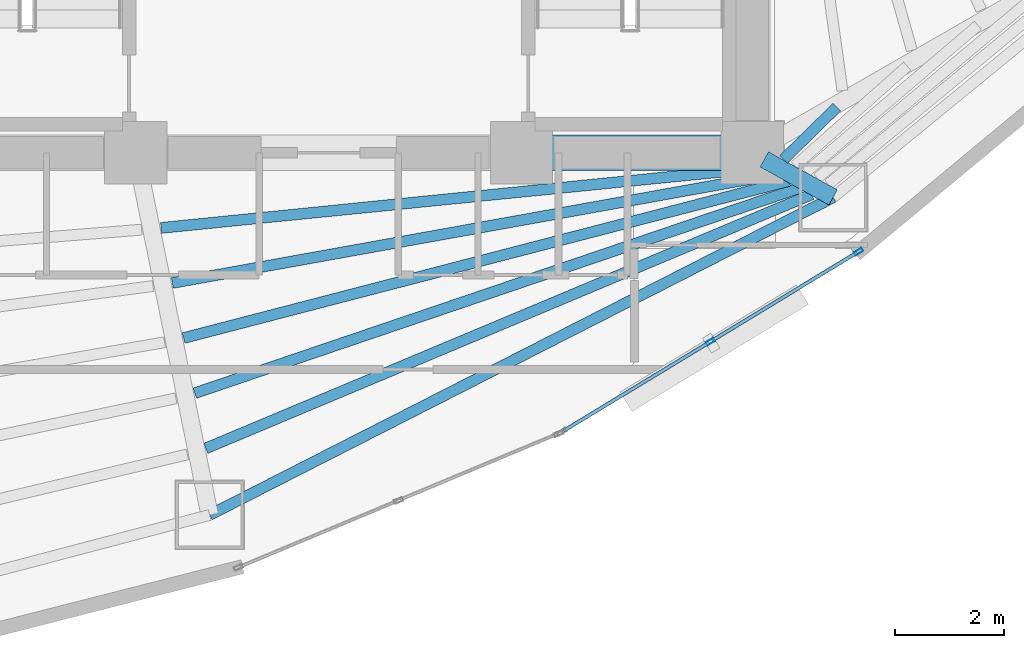
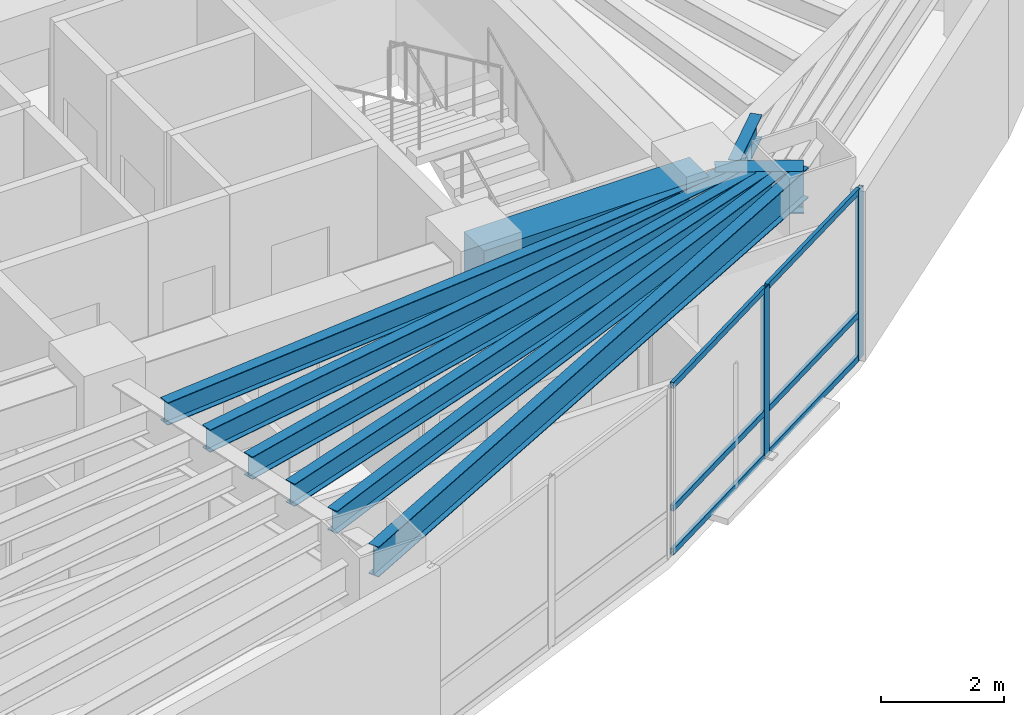
# One storey, part 5 of 16: 9 beams, 8 members, 1 element without a shape of its own.
"""IFC4 building model written with IfcOpenShell, lengths in metres."""

from ifc_helpers import new_model, si_unit, direction, frame, origin, origin_2d, place, context, subcontext, project, spatial, rectangle, hollow_rectangle, i_section, extrude, material, layer, layer_set, material_profile, profile_set, type_object, element, aggregate, save


model = new_model("IFC4")

# Units and contexts
model_context = context("Model", 3, precision=1e-05, world=origin(), true_north=direction((0.0, 1.0)))
body_context = subcontext(model_context, "Body", "Model", "MODEL_VIEW")
ifc_project = project(units=[si_unit("LENGTHUNIT", "METRE"), si_unit("AREAUNIT", "SQUARE_METRE"), si_unit("VOLUMEUNIT", "CUBIC_METRE"), si_unit("PLANEANGLEUNIT", "RADIAN"), si_unit("MASSUNIT", "GRAM", prefix="KILO")], contexts=[model_context])

# Site, building, storey
site_placement = place(None, origin())
site = spatial("IfcSite", under=ifc_project, at=site_placement, CompositionType="ELEMENT")
building_placement = place(site_placement, origin())
building = spatial("IfcBuilding", under=site, at=building_placement, Name="Menara Vayukalpa", CompositionType="ELEMENT")
storey_placement = place(building_placement, frame((0.0, 0.0, 79.679931640625)))
storey = spatial("IfcBuildingStorey", under=building, at=storey_placement, Name="L19", CompositionType="ELEMENT", Elevation=79.679931640625)

# Beams
ifc_material_1 = material(Name="Concrete C60/75", Category="concrete")
ifc_material_profile_1 = material_profile(ifc_material_1, rectangle(XDim=0.64990234375, YDim=0.85009765625, at=origin_2d()), Name="RC 650x850")
ifc_profile_set_1 = profile_set([ifc_material_profile_1], Name="Concrete C60/75")
beam_type_1 = type_object("IfcBeamType", Name="BM-CB1", PredefinedType="BEAM", material=ifc_profile_set_1)
beam_1_placement = place(storey_placement, frame((29.14990234375, 17.199951171875, 2.955078125), z_axis=(1.0, 0.0, 0.0), x_axis=(0.0, 1.0, 0.0)))
element("IfcBeam", 1, at=beam_1_placement, inside=storey, type_object=beam_type_1, Name="L19 Core Tie Beam CBR3", PredefinedType="BEAM", context=body_context, shape_type="SweptSolid", body=[
    extrude(rectangle(XDim=0.64990234375, YDim=0.85009765625, at=origin_2d()), origin(), (0.0, 0.0, 1.0), 4.25),
])
ifc_material_2 = material(Name="Steel S355", Category="steel")
ifc_material_profile_2 = material_profile(ifc_material_2, i_section(OverallWidth=0.320068359375, OverallDepth=0.85009765625, WebThickness=0.01611328125, FlangeThickness=0.030029296875, at=origin_2d()), Name="WF 850x320x16x30")
ifc_profile_set_2 = profile_set([ifc_material_profile_2], Name="Steel S355")
beam_type_2 = type_object("IfcBeamType", Name="BM-PG2", PredefinedType="BEAM", material=ifc_profile_set_2)
beam_2_placement = place(storey_placement, frame((33.618896484375, 17.0791015625, 2.955078125), z_axis=(0.875228391676, -0.48370989488, 0.0), x_axis=(0.48370989488, 0.875228391676, 0.0)))
element("IfcBeam", 2, at=beam_2_placement, inside=storey, type_object=beam_type_2, Name="L19 Primary Radial Girder RG09", PredefinedType="BEAM", context=body_context, shape_type="SweptSolid", body=[
    extrude(i_section(OverallWidth=0.320068359375, OverallDepth=0.85009765625, WebThickness=0.01611328125, FlangeThickness=0.030029296875, at=origin_2d()), origin(), (0.0, 0.0, 1.0), 1.448486328125),
])
ifc_material_3 = material(Name="Steel S355", Category="steel")
ifc_material_profile_3 = material_profile(ifc_material_3, i_section(OverallWidth=0.199951171875, OverallDepth=0.449951171875, WebThickness=0.009033203125, FlangeThickness=0.013916015625, at=origin_2d()), Name="WF 450x200x9x14")
ifc_profile_set_3 = profile_set([ifc_material_profile_3], Name="Steel S355")
beam_type_3 = type_object("IfcBeamType", Name="BM-SJ1", PredefinedType="JOIST", material=ifc_profile_set_3)
beam_3_placement = place(storey_placement, frame((22.514404296875, 15.81689453125, 3.155029296875), z_axis=(0.995012360471, 0.0997517043, 0.0), x_axis=(-0.0997517043, 0.995012360471, 0.0)))
element("IfcBeam", 3, at=beam_3_placement, inside=storey, type_object=beam_type_3, Name="L19 Secondary Floor Joist SJ08-1", PredefinedType="JOIST", context=body_context, shape_type="SweptSolid", body=[
    extrude(i_section(OverallWidth=0.199951171875, OverallDepth=0.449951171875, WebThickness=0.009033203125, FlangeThickness=0.013916015625, at=origin_2d()), origin(), (0.0, 0.0, 1.0), 11.20947265625),
])
beam_4_placement = place(storey_placement, frame((22.721923828125, 14.80322265625, 3.155029296875), z_axis=(0.984203304908, 0.177041957199, 0.0), x_axis=(-0.177041957199, 0.984203304908, 0.0)))
element("IfcBeam", 4, at=beam_4_placement, inside=storey, type_object=beam_type_3, Name="L19 Secondary Floor Joist SJ08-2", PredefinedType="JOIST", context=body_context, shape_type="SweptSolid", body=[
    extrude(i_section(OverallWidth=0.199951171875, OverallDepth=0.449951171875, WebThickness=0.009033203125, FlangeThickness=0.013916015625, at=origin_2d()), origin(), (0.0, 0.0, 1.0), 11.329833984375),
])
beam_5_placement = place(storey_placement, frame((22.92822265625, 13.7890625, 3.155029296875), z_axis=(0.9679190538, 0.25126222416, 0.0), x_axis=(-0.25126222416, 0.9679190538, 0.0)))
element("IfcBeam", 5, at=beam_5_placement, inside=storey, type_object=beam_type_3, Name="L19 Secondary Floor Joist SJ08-3", PredefinedType="JOIST", context=body_context, shape_type="SweptSolid", body=[
    extrude(i_section(OverallWidth=0.199951171875, OverallDepth=0.449951171875, WebThickness=0.009033203125, FlangeThickness=0.013916015625, at=origin_2d()), origin(), (0.0, 0.0, 1.0), 11.52001953125),
])
beam_6_placement = place(storey_placement, frame((23.1337890625, 12.774169921875, 3.155029296875), z_axis=(0.946954817661, 0.321366727134, 0.0), x_axis=(-0.321366727134, 0.946954817661, 0.0)))
element("IfcBeam", 6, at=beam_6_placement, inside=storey, type_object=beam_type_3, Name="L19 Secondary Floor Joist SJ08-4", PredefinedType="JOIST", context=body_context, shape_type="SweptSolid", body=[
    extrude(i_section(OverallWidth=0.199951171875, OverallDepth=0.449951171875, WebThickness=0.009033203125, FlangeThickness=0.013916015625, at=origin_2d()), origin(), (0.0, 0.0, 1.0), 11.776123046875),
])
beam_7_placement = place(storey_placement, frame((23.338623046875, 11.75830078125, 3.155029296875), z_axis=(0.922223639508, 0.386656900536, 0.0), x_axis=(-0.386656900536, 0.922223639508, 0.0)))
element("IfcBeam", 7, at=beam_7_placement, inside=storey, type_object=beam_type_3, Name="L19 Secondary Floor Joist SJ08-5", PredefinedType="JOIST", context=body_context, shape_type="SweptSolid", body=[
    extrude(i_section(OverallWidth=0.199951171875, OverallDepth=0.449951171875, WebThickness=0.009033203125, FlangeThickness=0.013916015625, at=origin_2d()), origin(), (0.0, 0.0, 1.0), 12.0947265625),
])
beam_8_placement = place(storey_placement, frame((33.9755859375, 17.0791015625, 3.155029296875), z_axis=(0.713661021906, 0.700491217512, 0.0), x_axis=(-0.700491217512, 0.713661021906, 0.0)))
element("IfcBeam", 8, at=beam_8_placement, inside=storey, type_object=beam_type_3, Name="L19 Secondary Floor Joist SJ09-1", PredefinedType="JOIST", context=body_context, shape_type="SweptSolid", body=[
    extrude(i_section(OverallWidth=0.199951171875, OverallDepth=0.449951171875, WebThickness=0.009033203125, FlangeThickness=0.013916015625, at=origin_2d()), origin(), (0.0, 0.0, 1.0), 1.371826171875),
])
ifc_material_4 = material(Name="Steel S355", Category="steel")
ifc_material_profile_4 = material_profile(ifc_material_4, i_section(OverallWidth=0.199951171875, OverallDepth=0.60009765625, WebThickness=0.010986328125, FlangeThickness=0.01708984375, at=origin_2d()), Name="WF 600x200x11x17")
ifc_profile_set_4 = profile_set([ifc_material_profile_4], Name="Steel S355")
beam_type_4 = type_object("IfcBeamType", Name="BM-SP1", PredefinedType="SPANDREL", material=ifc_profile_set_4)
beam_9_placement = place(storey_placement, frame((23.408203125, 10.53271484375, 3.080078125), z_axis=(0.891097345221, 0.453812209333, 0.0), x_axis=(-0.453812209333, 0.891097345221, 0.0)))
element("IfcBeam", 9, at=beam_9_placement, inside=storey, type_object=beam_type_4, Name="L19 Perimeter Spandrel Beam SP08", PredefinedType="SPANDREL", context=body_context, shape_type="SweptSolid", body=[
    extrude(i_section(OverallWidth=0.199951171875, OverallDepth=0.60009765625, WebThickness=0.010986328125, FlangeThickness=0.01708984375, at=origin_2d()), origin(), (0.0, 0.0, 1.0), 12.88134765625),
])

# Curtain wall, members
ifc_material_5 = material(Name="Anodised Terracotta Aluminium Alloy 6063-T6", Category="masonry")
ifc_layer = layer(ifc_material_5, 0.1650390625)
ifc_layer_set = layer_set([ifc_layer], Name="Anodised Terracotta Aluminium Alloy 6063-T6")
curtain_wall_type = type_object("IfcCurtainWallType", Name="CW-CW2", PredefinedType="USERDEFINED", material=ifc_layer_set)
curtain_wall_placement = place(storey_placement, origin())
curtain_wall = element("IfcCurtainWall", 10, at=curtain_wall_placement, inside=storey, type_object=curtain_wall_type, Name="L19 Low Rise Terracotta Ribbon Curtain Wall CW2 17", ObjectType="UNITISED", PredefinedType="USERDEFINED")
ifc_material_6 = material(Name="Anodised Terracotta Aluminium Alloy 6063-T6", Category="masonry")
ifc_material_profile_5 = material_profile(ifc_material_6, hollow_rectangle(XDim=0.070068359375, YDim=0.1650390625, WallThickness=0.00390625, at=origin_2d()), Name="ALU 70x165x4")
ifc_profile_set_5 = profile_set([ifc_material_profile_5], Name="Anodised Terracotta Aluminium Alloy 6063-T6")
member_type_1 = type_object("IfcMemberType", Name="CWM-CW2", PredefinedType="MULLION", material=ifc_profile_set_5)
member_1_placement = place(storey_placement, frame((32.6259765625, 13.721435546875, 0.0), z_axis=(0.0, 0.0, 1.0), x_axis=(-0.519182959112, 0.854663123674, 0.0)))
member_1 = element("IfcMember", 11, at=member_1_placement, type_object=member_type_1, Name="CW2 mullion 2", PredefinedType="MULLION", context=body_context, shape_type="SweptSolid", body=[
    extrude(hollow_rectangle(XDim=0.070068359375, YDim=0.1650390625, WallThickness=0.00390625, at=origin_2d()), origin(), (0.0, 0.0, 1.0), 3.380126953125),
])
member_2_placement = place(storey_placement, frame((35.356201171875, 15.3798828125, 0.0), z_axis=(0.0, 0.0, 1.0), x_axis=(-0.519182959112, 0.854663123674, 0.0)))
member_2 = element("IfcMember", 12, at=member_2_placement, type_object=member_type_1, Name="CW2 mullion 3", PredefinedType="MULLION", context=body_context, shape_type="SweptSolid", body=[
    extrude(hollow_rectangle(XDim=0.070068359375, YDim=0.1650390625, WallThickness=0.00390625, at=origin_2d()), origin(), (0.0, 0.0, 1.0), 3.380126953125),
])
ifc_material_7 = material(Name="Anodised Terracotta Aluminium Alloy 6063-T6", Category="masonry")
ifc_material_profile_6 = material_profile(ifc_material_7, hollow_rectangle(XDim=0.06494140625, YDim=0.1201171875, WallThickness=0.00341796875, at=origin_2d()), Name="ALU 65x120x3.5")
ifc_profile_set_6 = profile_set([ifc_material_profile_6], Name="Anodised Terracotta Aluminium Alloy 6063-T6")
member_type_2 = type_object("IfcMemberType", Name="CWT-CW2", PredefinedType="USERDEFINED", material=ifc_profile_set_6)
member_3_placement = place(storey_placement, frame((29.92578125, 12.0810546875, 0.032470703125), z_axis=(0.854625293212, 0.519245229349, 0.0), x_axis=(-0.519245229349, 0.854625293212, 0.0)))
member_3 = element("IfcMember", 13, at=member_3_placement, type_object=member_type_2, Name="CW2 transom 1.1", ObjectType="TRANSOM", PredefinedType="USERDEFINED", context=body_context, shape_type="SweptSolid", body=[
    extrude(hollow_rectangle(XDim=0.06494140625, YDim=0.1201171875, WallThickness=0.00341796875, at=origin_2d()), origin(), (0.0, 0.0, 1.0), 3.124267578125),
])
member_4_placement = place(storey_placement, frame((29.92578125, 12.0810546875, 0.900146484375), z_axis=(0.854625293212, 0.519245229349, 0.0), x_axis=(-0.519245229349, 0.854625293212, 0.0)))
member_4 = element("IfcMember", 14, at=member_4_placement, type_object=member_type_2, Name="CW2 transom 1.2", ObjectType="TRANSOM", PredefinedType="USERDEFINED", context=body_context, shape_type="SweptSolid", body=[
    extrude(hollow_rectangle(XDim=0.06494140625, YDim=0.1201171875, WallThickness=0.00341796875, at=origin_2d()), origin(), (0.0, 0.0, 1.0), 3.124267578125),
])
member_5_placement = place(storey_placement, frame((29.92578125, 12.0810546875, 3.34765625), z_axis=(0.854625293212, 0.519245229349, 0.0), x_axis=(-0.519245229349, 0.854625293212, 0.0)))
member_5 = element("IfcMember", 15, at=member_5_placement, type_object=member_type_2, Name="CW2 transom 1.3", ObjectType="TRANSOM", PredefinedType="USERDEFINED", context=body_context, shape_type="SweptSolid", body=[
    extrude(hollow_rectangle(XDim=0.06494140625, YDim=0.1201171875, WallThickness=0.00341796875, at=origin_2d()), origin(), (0.0, 0.0, 1.0), 3.124267578125),
])
member_6_placement = place(storey_placement, frame((32.65576171875, 13.739501953125, 0.032470703125), z_axis=(0.854646359065, 0.519210555494, 0.0), x_axis=(-0.519210555494, 0.854646359065, 0.0)))
member_6 = element("IfcMember", 16, at=member_6_placement, type_object=member_type_2, Name="CW2 transom 2.1", ObjectType="TRANSOM", PredefinedType="USERDEFINED", context=body_context, shape_type="SweptSolid", body=[
    extrude(hollow_rectangle(XDim=0.06494140625, YDim=0.1201171875, WallThickness=0.00341796875, at=origin_2d()), origin(), (0.0, 0.0, 1.0), 3.12451171875),
])
member_7_placement = place(storey_placement, frame((32.65576171875, 13.739501953125, 0.900146484375), z_axis=(0.854646359065, 0.519210555494, 0.0), x_axis=(-0.519210555494, 0.854646359065, 0.0)))
member_7 = element("IfcMember", 17, at=member_7_placement, type_object=member_type_2, Name="CW2 transom 2.2", ObjectType="TRANSOM", PredefinedType="USERDEFINED", context=body_context, shape_type="SweptSolid", body=[
    extrude(hollow_rectangle(XDim=0.06494140625, YDim=0.1201171875, WallThickness=0.00341796875, at=origin_2d()), origin(), (0.0, 0.0, 1.0), 3.12451171875),
])
member_8_placement = place(storey_placement, frame((32.65576171875, 13.739501953125, 3.34765625), z_axis=(0.854646359065, 0.519210555494, 0.0), x_axis=(-0.519210555494, 0.854646359065, 0.0)))
member_8 = element("IfcMember", 18, at=member_8_placement, type_object=member_type_2, Name="CW2 transom 2.3", ObjectType="TRANSOM", PredefinedType="USERDEFINED", context=body_context, shape_type="SweptSolid", body=[
    extrude(hollow_rectangle(XDim=0.06494140625, YDim=0.1201171875, WallThickness=0.00341796875, at=origin_2d()), origin(), (0.0, 0.0, 1.0), 3.12451171875),
])
aggregate(curtain_wall, [member_1, member_2, member_3, member_4, member_5, member_6, member_7, member_8])

save(model, "model.ifc")
